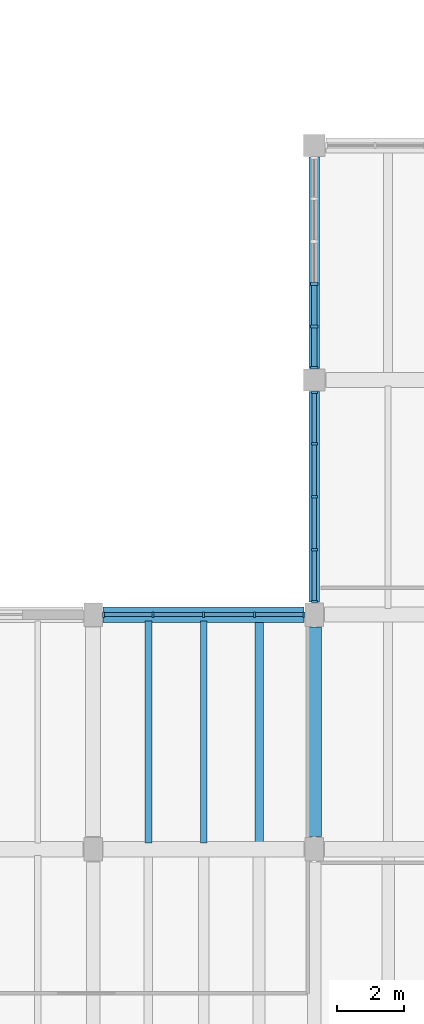
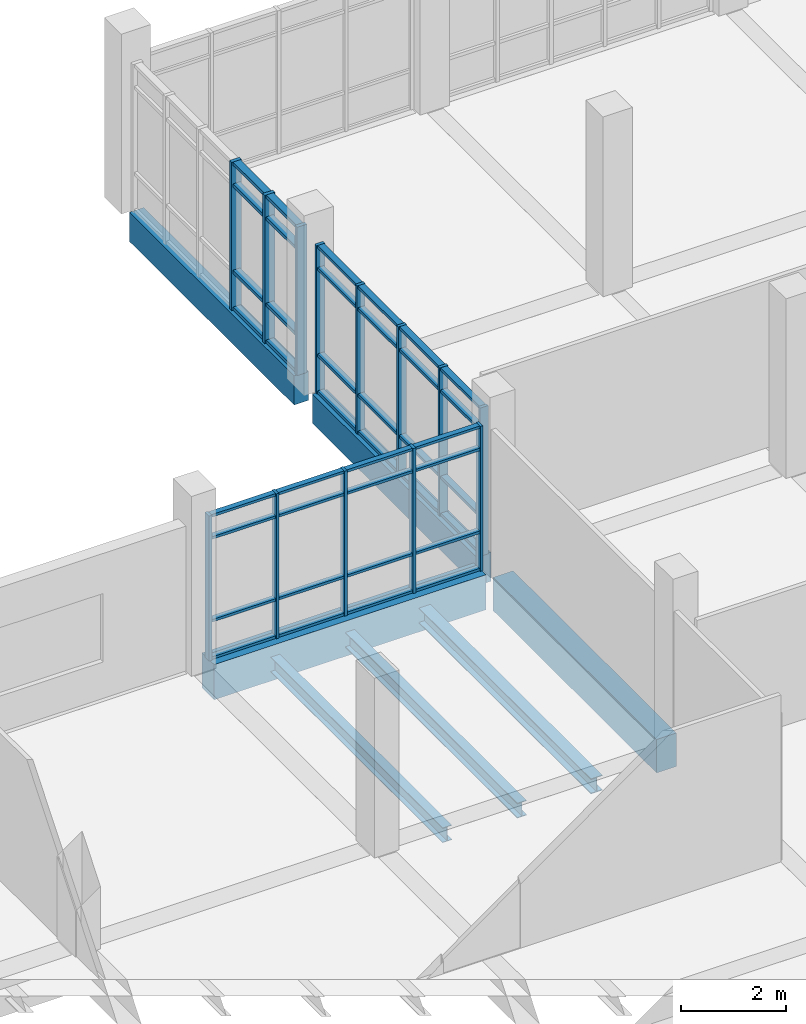
# One storey, part 7 of 68: 53 members, 7 beams, 3 elements without a shape of their own.
"""IFC4 building model written with IfcOpenShell, lengths in metres."""

from ifc_helpers import new_model, si_unit, direction, frame, origin, origin_2d, place, context, subcontext, project, spatial, rectangle, i_section, extrude, material, material_profile, profile_set, type_object, element, aggregate, save


model = new_model("IFC4")

# Units and contexts
model_context = context("Model", 3, precision=1e-05, world=origin(), true_north=direction((0.0, 1.0)))
body_context = subcontext(model_context, "Body", "Model", "MODEL_VIEW")
ifc_project = project(units=[si_unit("LENGTHUNIT", "METRE"), si_unit("AREAUNIT", "SQUARE_METRE"), si_unit("VOLUMEUNIT", "CUBIC_METRE"), si_unit("PLANEANGLEUNIT", "RADIAN"), si_unit("MASSUNIT", "GRAM", prefix="KILO")], contexts=[model_context])

# Site, building, storey
site_placement = place(None, origin())
site = spatial("IfcSite", under=ifc_project, at=site_placement, CompositionType="ELEMENT")
building_placement = place(site_placement, origin())
building = spatial("IfcBuilding", under=site, at=building_placement, Name="Ciguamira Faculty of Natural Sciences", CompositionType="ELEMENT")
storey_placement = place(building_placement, frame((0.0, 0.0, 4.199951171875)))
storey = spatial("IfcBuildingStorey", under=building, at=storey_placement, Name="L01", CompositionType="ELEMENT", Elevation=4.199951171875)

# Curtain wall, members
ifc_material_1 = material(Name="Anodized aluminium curtain wall", Category="aluminium")
curtain_wall_type_1 = type_object("IfcCurtainWallType", Name="CurtainWall_CW-07", PredefinedType="USERDEFINED", material=ifc_material_1)
curtain_wall_1_placement = place(storey_placement, origin())
curtain_wall_1 = element("IfcCurtainWall", 1, at=curtain_wall_1_placement, inside=storey, type_object=curtain_wall_type_1, Name="L01 unitised curtain wall 0031", ObjectType="UNITISED CURTAIN WALL", PredefinedType="USERDEFINED")
ifc_material_2 = material(Name="Anodized aluminium mullion", Category="aluminium")
ifc_material_profile_1 = material_profile(ifc_material_2, rectangle(XDim=0.06005859375, YDim=0.159912109375, at=origin_2d()), Name="ALU-MUL-60X160")
ifc_profile_set_1 = profile_set([ifc_material_profile_1], Name="Anodized aluminium mullion")
member_type_1 = type_object("IfcMemberType", Name="CWMullion_CWM-01", PredefinedType="MULLION", material=ifc_profile_set_1)
member_1_placement = place(storey_placement, frame((44.405029296875, 24.0, 0.0), z_axis=(0.0, 0.0, 1.0), x_axis=(1.0, 0.0, 0.0)))
member_1 = element("IfcMember", 2, at=member_1_placement, type_object=member_type_1, Name="CW-07 mullion 1", PredefinedType="MULLION", context=body_context, shape_type="SweptSolid", body=[
    extrude(rectangle(XDim=0.06005859375, YDim=0.159912109375, at=origin_2d()), origin(), (0.0, 0.0, 1.0), 3.385009765625),
])
member_2_placement = place(storey_placement, frame((45.887451171875, 24.0, 0.0), z_axis=(0.0, 0.0, 1.0), x_axis=(1.0, 0.0, 0.0)))
member_2 = element("IfcMember", 3, at=member_2_placement, type_object=member_type_1, Name="CW-07 mullion 2", PredefinedType="MULLION", context=body_context, shape_type="SweptSolid", body=[
    extrude(rectangle(XDim=0.06005859375, YDim=0.159912109375, at=origin_2d()), origin(), (0.0, 0.0, 1.0), 3.385009765625),
])
member_3_placement = place(storey_placement, frame((47.39990234375, 24.0, 0.0), z_axis=(0.0, 0.0, 1.0), x_axis=(1.0, 0.0, 0.0)))
member_3 = element("IfcMember", 4, at=member_3_placement, type_object=member_type_1, Name="CW-07 mullion 3", PredefinedType="MULLION", context=body_context, shape_type="SweptSolid", body=[
    extrude(rectangle(XDim=0.06005859375, YDim=0.159912109375, at=origin_2d()), origin(), (0.0, 0.0, 1.0), 3.385009765625),
])
member_4_placement = place(storey_placement, frame((48.91259765625, 24.0, 0.0), z_axis=(0.0, 0.0, 1.0), x_axis=(1.0, 0.0, 0.0)))
member_4 = element("IfcMember", 5, at=member_4_placement, type_object=member_type_1, Name="CW-07 mullion 4", PredefinedType="MULLION", context=body_context, shape_type="SweptSolid", body=[
    extrude(rectangle(XDim=0.06005859375, YDim=0.159912109375, at=origin_2d()), origin(), (0.0, 0.0, 1.0), 3.385009765625),
])
member_5_placement = place(storey_placement, frame((50.39501953125, 24.0, 0.0), z_axis=(0.0, 0.0, 1.0), x_axis=(1.0, 0.0, 0.0)))
member_5 = element("IfcMember", 6, at=member_5_placement, type_object=member_type_1, Name="CW-07 mullion 5", PredefinedType="MULLION", context=body_context, shape_type="SweptSolid", body=[
    extrude(rectangle(XDim=0.06005859375, YDim=0.159912109375, at=origin_2d()), origin(), (0.0, 0.0, 1.0), 3.385009765625),
])

curtain_wall_type_2 = type_object("IfcCurtainWallType", Name="CurtainWall_CW-02", PredefinedType="USERDEFINED", material=ifc_material_1)
curtain_wall_2_placement = place(storey_placement, origin())
curtain_wall_2 = element("IfcCurtainWall", 7, at=curtain_wall_2_placement, inside=storey, type_object=curtain_wall_type_2, Name="L01 unitised curtain wall 0050", ObjectType="UNITISED CURTAIN WALL", PredefinedType="USERDEFINED")
ifc_material_profile_2 = material_profile(ifc_material_2, rectangle(XDim=0.070068359375, YDim=0.179931640625, at=origin_2d()), Name="ALU-MUL-70X180")
ifc_profile_set_2 = profile_set([ifc_material_profile_2], Name="Anodized aluminium mullion")
member_type_2 = type_object("IfcMemberType", Name="CWMullion_CWM-02", PredefinedType="MULLION", material=ifc_profile_set_2)
member_6_placement = place(storey_placement, frame((50.699951171875, 24.385009765625, 0.0), z_axis=(0.0, 0.0, 1.0), x_axis=(0.0, 1.0, 0.0)))
member_6 = element("IfcMember", 8, at=member_6_placement, type_object=member_type_2, Name="CW-02 mullion 1", PredefinedType="MULLION", context=body_context, shape_type="SweptSolid", body=[
    extrude(rectangle(XDim=0.070068359375, YDim=0.179931640625, at=origin_2d()), origin(), (0.0, 0.0, 1.0), 3.465087890625),
])
member_7_placement = place(storey_placement, frame((50.699951171875, 25.93115234375, 0.0), z_axis=(0.0, 0.0, 1.0), x_axis=(0.0, 1.0, 0.0)))
member_7 = element("IfcMember", 9, at=member_7_placement, type_object=member_type_2, Name="CW-02 mullion 2", PredefinedType="MULLION", context=body_context, shape_type="SweptSolid", body=[
    extrude(rectangle(XDim=0.070068359375, YDim=0.179931640625, at=origin_2d()), origin(), (0.0, 0.0, 1.0), 3.465087890625),
])
member_8_placement = place(storey_placement, frame((50.699951171875, 27.512451171875, 0.0), z_axis=(0.0, 0.0, 1.0), x_axis=(0.0, 1.0, 0.0)))
member_8 = element("IfcMember", 10, at=member_8_placement, type_object=member_type_2, Name="CW-02 mullion 3", PredefinedType="MULLION", context=body_context, shape_type="SweptSolid", body=[
    extrude(rectangle(XDim=0.070068359375, YDim=0.179931640625, at=origin_2d()), origin(), (0.0, 0.0, 1.0), 3.465087890625),
])
member_9_placement = place(storey_placement, frame((50.699951171875, 29.09375, 0.0), z_axis=(0.0, 0.0, 1.0), x_axis=(0.0, 1.0, 0.0)))
member_9 = element("IfcMember", 11, at=member_9_placement, type_object=member_type_2, Name="CW-02 mullion 4", PredefinedType="MULLION", context=body_context, shape_type="SweptSolid", body=[
    extrude(rectangle(XDim=0.070068359375, YDim=0.179931640625, at=origin_2d()), origin(), (0.0, 0.0, 1.0), 3.465087890625),
])
member_10_placement = place(storey_placement, frame((50.699951171875, 30.639892578125, 0.0), z_axis=(0.0, 0.0, 1.0), x_axis=(0.0, 1.0, 0.0)))
member_10 = element("IfcMember", 12, at=member_10_placement, type_object=member_type_2, Name="CW-02 mullion 5", PredefinedType="MULLION", context=body_context, shape_type="SweptSolid", body=[
    extrude(rectangle(XDim=0.070068359375, YDim=0.179931640625, at=origin_2d()), origin(), (0.0, 0.0, 1.0), 3.465087890625),
])

curtain_wall_type_3 = type_object("IfcCurtainWallType", Name="CurtainWall_CW-03", PredefinedType="USERDEFINED", material=ifc_material_1)
curtain_wall_3_placement = place(storey_placement, origin())
curtain_wall_3 = element("IfcCurtainWall", 13, at=curtain_wall_3_placement, inside=storey, type_object=curtain_wall_type_3, Name="L01 unitised curtain wall 0051", ObjectType="UNITISED CURTAIN WALL", PredefinedType="USERDEFINED")
ifc_material_profile_3 = material_profile(ifc_material_2, rectangle(XDim=0.080078125, YDim=0.219970703125, at=origin_2d()), Name="ALU-MUL-80X220")
ifc_profile_set_3 = profile_set([ifc_material_profile_3], Name="Anodized aluminium mullion")
member_type_3 = type_object("IfcMemberType", Name="CWMullion_CWM-03", PredefinedType="MULLION", material=ifc_profile_set_3)
member_11_placement = place(storey_placement, frame((50.699951171875, 31.364990234375, 0.0), z_axis=(0.0, 0.0, 1.0), x_axis=(0.0, 1.0, 0.0)))
member_11 = element("IfcMember", 14, at=member_11_placement, type_object=member_type_3, Name="CW-03 mullion 1", PredefinedType="MULLION", context=body_context, shape_type="SweptSolid", body=[
    extrude(rectangle(XDim=0.080078125, YDim=0.219970703125, at=origin_2d()), origin(), (0.0, 0.0, 1.0), 3.465087890625),
])
member_12_placement = place(storey_placement, frame((50.699951171875, 32.594970703125, 0.0), z_axis=(0.0, 0.0, 1.0), x_axis=(0.0, 1.0, 0.0)))
member_12 = element("IfcMember", 15, at=member_12_placement, type_object=member_type_3, Name="CW-03 mullion 2", PredefinedType="MULLION", context=body_context, shape_type="SweptSolid", body=[
    extrude(rectangle(XDim=0.080078125, YDim=0.219970703125, at=origin_2d()), origin(), (0.0, 0.0, 1.0), 3.465087890625),
])
member_13_placement = place(storey_placement, frame((50.699951171875, 33.864990234375, 0.0), z_axis=(0.0, 0.0, 1.0), x_axis=(0.0, 1.0, 0.0)))
member_13 = element("IfcMember", 16, at=member_13_placement, type_object=member_type_3, Name="CW-03 mullion 3", PredefinedType="MULLION", context=body_context, shape_type="SweptSolid", body=[
    extrude(rectangle(XDim=0.080078125, YDim=0.219970703125, at=origin_2d()), origin(), (0.0, 0.0, 1.0), 3.465087890625),
])

# Member
ifc_material_3 = material(Name="Anodized aluminium transom", Category="aluminium")
ifc_material_profile_4 = material_profile(ifc_material_3, rectangle(XDim=0.06005859375, YDim=0.1201171875, at=origin_2d()), Name="ALU-TRN-60X120")
ifc_profile_set_4 = profile_set([ifc_material_profile_4], Name="Anodized aluminium transom")
member_type_4 = type_object("IfcMemberType", Name="CWTransom_CWT-01", PredefinedType="USERDEFINED", material=ifc_profile_set_4)
member_14_placement = place(storey_placement, frame((44.43505859375, 24.0, 0.030029296875), z_axis=(1.0, 0.0, 0.0), x_axis=(0.0, 0.0, 1.0)))
member_14 = element("IfcMember", 17, at=member_14_placement, type_object=member_type_4, Name="CW-07 transom 1.1", ObjectType="TRANSOM", PredefinedType="USERDEFINED", context=body_context, shape_type="SweptSolid", body=[
    extrude(rectangle(XDim=0.06005859375, YDim=0.1201171875, at=origin_2d()), origin(), (0.0, 0.0, 1.0), 1.42236328125),
])

member_15_placement = place(storey_placement, frame((44.43505859375, 24.0, 0.900146484375), z_axis=(1.0, 0.0, 0.0), x_axis=(0.0, 0.0, 1.0)))
member_15 = element("IfcMember", 18, at=member_15_placement, type_object=member_type_4, Name="CW-07 transom 1.2", ObjectType="TRANSOM", PredefinedType="USERDEFINED", context=body_context, shape_type="SweptSolid", body=[
    extrude(rectangle(XDim=0.06005859375, YDim=0.1201171875, at=origin_2d()), origin(), (0.0, 0.0, 1.0), 1.42236328125),
])

member_16_placement = place(storey_placement, frame((44.43505859375, 24.0, 2.8349609375), z_axis=(1.0, 0.0, 0.0), x_axis=(0.0, 0.0, 1.0)))
member_16 = element("IfcMember", 19, at=member_16_placement, type_object=member_type_4, Name="CW-07 transom 1.3", ObjectType="TRANSOM", PredefinedType="USERDEFINED", context=body_context, shape_type="SweptSolid", body=[
    extrude(rectangle(XDim=0.06005859375, YDim=0.1201171875, at=origin_2d()), origin(), (0.0, 0.0, 1.0), 1.42236328125),
])

member_17_placement = place(storey_placement, frame((44.43505859375, 24.0, 3.35498046875), z_axis=(1.0, 0.0, 0.0), x_axis=(0.0, 0.0, 1.0)))
member_17 = element("IfcMember", 20, at=member_17_placement, type_object=member_type_4, Name="CW-07 transom 1.4", ObjectType="TRANSOM", PredefinedType="USERDEFINED", context=body_context, shape_type="SweptSolid", body=[
    extrude(rectangle(XDim=0.06005859375, YDim=0.1201171875, at=origin_2d()), origin(), (0.0, 0.0, 1.0), 1.42236328125),
])

member_18_placement = place(storey_placement, frame((45.91748046875, 24.0, 0.030029296875), z_axis=(1.0, 0.0, 0.0), x_axis=(0.0, 0.0, 1.0)))
member_18 = element("IfcMember", 21, at=member_18_placement, type_object=member_type_4, Name="CW-07 transom 2.1", ObjectType="TRANSOM", PredefinedType="USERDEFINED", context=body_context, shape_type="SweptSolid", body=[
    extrude(rectangle(XDim=0.06005859375, YDim=0.1201171875, at=origin_2d()), origin(), (0.0, 0.0, 1.0), 1.45263671875),
])

member_19_placement = place(storey_placement, frame((45.91748046875, 24.0, 0.900146484375), z_axis=(1.0, 0.0, 0.0), x_axis=(0.0, 0.0, 1.0)))
member_19 = element("IfcMember", 22, at=member_19_placement, type_object=member_type_4, Name="CW-07 transom 2.2", ObjectType="TRANSOM", PredefinedType="USERDEFINED", context=body_context, shape_type="SweptSolid", body=[
    extrude(rectangle(XDim=0.06005859375, YDim=0.1201171875, at=origin_2d()), origin(), (0.0, 0.0, 1.0), 1.45263671875),
])

member_20_placement = place(storey_placement, frame((45.91748046875, 24.0, 2.8349609375), z_axis=(1.0, 0.0, 0.0), x_axis=(0.0, 0.0, 1.0)))
member_20 = element("IfcMember", 23, at=member_20_placement, type_object=member_type_4, Name="CW-07 transom 2.3", ObjectType="TRANSOM", PredefinedType="USERDEFINED", context=body_context, shape_type="SweptSolid", body=[
    extrude(rectangle(XDim=0.06005859375, YDim=0.1201171875, at=origin_2d()), origin(), (0.0, 0.0, 1.0), 1.45263671875),
])

member_21_placement = place(storey_placement, frame((45.91748046875, 24.0, 3.35498046875), z_axis=(1.0, 0.0, 0.0), x_axis=(0.0, 0.0, 1.0)))
member_21 = element("IfcMember", 24, at=member_21_placement, type_object=member_type_4, Name="CW-07 transom 2.4", ObjectType="TRANSOM", PredefinedType="USERDEFINED", context=body_context, shape_type="SweptSolid", body=[
    extrude(rectangle(XDim=0.06005859375, YDim=0.1201171875, at=origin_2d()), origin(), (0.0, 0.0, 1.0), 1.45263671875),
])

member_22_placement = place(storey_placement, frame((47.429931640625, 24.0, 0.030029296875), z_axis=(1.0, 0.0, 0.0), x_axis=(0.0, 0.0, 1.0)))
member_22 = element("IfcMember", 25, at=member_22_placement, type_object=member_type_4, Name="CW-07 transom 3.1", ObjectType="TRANSOM", PredefinedType="USERDEFINED", context=body_context, shape_type="SweptSolid", body=[
    extrude(rectangle(XDim=0.06005859375, YDim=0.1201171875, at=origin_2d()), origin(), (0.0, 0.0, 1.0), 1.45263671875),
])

member_23_placement = place(storey_placement, frame((47.429931640625, 24.0, 0.900146484375), z_axis=(1.0, 0.0, 0.0), x_axis=(0.0, 0.0, 1.0)))
member_23 = element("IfcMember", 26, at=member_23_placement, type_object=member_type_4, Name="CW-07 transom 3.2", ObjectType="TRANSOM", PredefinedType="USERDEFINED", context=body_context, shape_type="SweptSolid", body=[
    extrude(rectangle(XDim=0.06005859375, YDim=0.1201171875, at=origin_2d()), origin(), (0.0, 0.0, 1.0), 1.45263671875),
])

member_24_placement = place(storey_placement, frame((47.429931640625, 24.0, 2.8349609375), z_axis=(1.0, 0.0, 0.0), x_axis=(0.0, 0.0, 1.0)))
member_24 = element("IfcMember", 27, at=member_24_placement, type_object=member_type_4, Name="CW-07 transom 3.3", ObjectType="TRANSOM", PredefinedType="USERDEFINED", context=body_context, shape_type="SweptSolid", body=[
    extrude(rectangle(XDim=0.06005859375, YDim=0.1201171875, at=origin_2d()), origin(), (0.0, 0.0, 1.0), 1.45263671875),
])

member_25_placement = place(storey_placement, frame((47.429931640625, 24.0, 3.35498046875), z_axis=(1.0, 0.0, 0.0), x_axis=(0.0, 0.0, 1.0)))
member_25 = element("IfcMember", 28, at=member_25_placement, type_object=member_type_4, Name="CW-07 transom 3.4", ObjectType="TRANSOM", PredefinedType="USERDEFINED", context=body_context, shape_type="SweptSolid", body=[
    extrude(rectangle(XDim=0.06005859375, YDim=0.1201171875, at=origin_2d()), origin(), (0.0, 0.0, 1.0), 1.45263671875),
])

member_26_placement = place(storey_placement, frame((48.9423828125, 24.0, 0.030029296875), z_axis=(1.0, 0.0, 0.0), x_axis=(0.0, 0.0, 1.0)))
member_26 = element("IfcMember", 29, at=member_26_placement, type_object=member_type_4, Name="CW-07 transom 4.1", ObjectType="TRANSOM", PredefinedType="USERDEFINED", context=body_context, shape_type="SweptSolid", body=[
    extrude(rectangle(XDim=0.06005859375, YDim=0.1201171875, at=origin_2d()), origin(), (0.0, 0.0, 1.0), 1.422607421875),
])

member_27_placement = place(storey_placement, frame((48.9423828125, 24.0, 0.900146484375), z_axis=(1.0, 0.0, 0.0), x_axis=(0.0, 0.0, 1.0)))
member_27 = element("IfcMember", 30, at=member_27_placement, type_object=member_type_4, Name="CW-07 transom 4.2", ObjectType="TRANSOM", PredefinedType="USERDEFINED", context=body_context, shape_type="SweptSolid", body=[
    extrude(rectangle(XDim=0.06005859375, YDim=0.1201171875, at=origin_2d()), origin(), (0.0, 0.0, 1.0), 1.422607421875),
])

member_28_placement = place(storey_placement, frame((48.9423828125, 24.0, 2.8349609375), z_axis=(1.0, 0.0, 0.0), x_axis=(0.0, 0.0, 1.0)))
member_28 = element("IfcMember", 31, at=member_28_placement, type_object=member_type_4, Name="CW-07 transom 4.3", ObjectType="TRANSOM", PredefinedType="USERDEFINED", context=body_context, shape_type="SweptSolid", body=[
    extrude(rectangle(XDim=0.06005859375, YDim=0.1201171875, at=origin_2d()), origin(), (0.0, 0.0, 1.0), 1.422607421875),
])

member_29_placement = place(storey_placement, frame((48.9423828125, 24.0, 3.35498046875), z_axis=(1.0, 0.0, 0.0), x_axis=(0.0, 0.0, 1.0)))
member_29 = element("IfcMember", 32, at=member_29_placement, type_object=member_type_4, Name="CW-07 transom 4.4", ObjectType="TRANSOM", PredefinedType="USERDEFINED", context=body_context, shape_type="SweptSolid", body=[
    extrude(rectangle(XDim=0.06005859375, YDim=0.1201171875, at=origin_2d()), origin(), (0.0, 0.0, 1.0), 1.422607421875),
])

aggregate(curtain_wall_1, [member_1, member_2, member_3, member_4, member_5, member_14, member_15, member_16, member_17, member_18, member_19, member_20, member_21, member_22, member_23, member_24, member_25, member_26, member_27, member_28, member_29])

ifc_material_profile_5 = material_profile(ifc_material_3, rectangle(XDim=0.070068359375, YDim=0.139892578125, at=origin_2d()), Name="ALU-TRN-70X140")
ifc_profile_set_5 = profile_set([ifc_material_profile_5], Name="Anodized aluminium transom")
member_type_5 = type_object("IfcMemberType", Name="CWTransom_CWT-02", PredefinedType="USERDEFINED", material=ifc_profile_set_5)
member_30_placement = place(storey_placement, frame((50.699951171875, 24.419921875, 0.03515625), z_axis=(0.0, 1.0, 0.0), x_axis=(0.0, 0.0, 1.0)))
member_30 = element("IfcMember", 33, at=member_30_placement, type_object=member_type_5, Name="CW-02 transom 1.1", ObjectType="TRANSOM", PredefinedType="USERDEFINED", context=body_context, shape_type="SweptSolid", body=[
    extrude(rectangle(XDim=0.070068359375, YDim=0.139892578125, at=origin_2d()), origin(), (0.0, 0.0, 1.0), 1.476318359375),
])

member_31_placement = place(storey_placement, frame((50.699951171875, 24.419921875, 0.900146484375), z_axis=(0.0, 1.0, 0.0), x_axis=(0.0, 0.0, 1.0)))
member_31 = element("IfcMember", 34, at=member_31_placement, type_object=member_type_5, Name="CW-02 transom 1.2", ObjectType="TRANSOM", PredefinedType="USERDEFINED", context=body_context, shape_type="SweptSolid", body=[
    extrude(rectangle(XDim=0.070068359375, YDim=0.139892578125, at=origin_2d()), origin(), (0.0, 0.0, 1.0), 1.476318359375),
])

member_32_placement = place(storey_placement, frame((50.699951171875, 24.419921875, 2.9150390625), z_axis=(0.0, 1.0, 0.0), x_axis=(0.0, 0.0, 1.0)))
member_32 = element("IfcMember", 35, at=member_32_placement, type_object=member_type_5, Name="CW-02 transom 1.3", ObjectType="TRANSOM", PredefinedType="USERDEFINED", context=body_context, shape_type="SweptSolid", body=[
    extrude(rectangle(XDim=0.070068359375, YDim=0.139892578125, at=origin_2d()), origin(), (0.0, 0.0, 1.0), 1.476318359375),
])

member_33_placement = place(storey_placement, frame((50.699951171875, 24.419921875, 3.429931640625), z_axis=(0.0, 1.0, 0.0), x_axis=(0.0, 0.0, 1.0)))
member_33 = element("IfcMember", 36, at=member_33_placement, type_object=member_type_5, Name="CW-02 transom 1.4", ObjectType="TRANSOM", PredefinedType="USERDEFINED", context=body_context, shape_type="SweptSolid", body=[
    extrude(rectangle(XDim=0.070068359375, YDim=0.139892578125, at=origin_2d()), origin(), (0.0, 0.0, 1.0), 1.476318359375),
])

member_34_placement = place(storey_placement, frame((50.699951171875, 25.96630859375, 0.03515625), z_axis=(0.0, 1.0, 0.0), x_axis=(0.0, 0.0, 1.0)))
member_34 = element("IfcMember", 37, at=member_34_placement, type_object=member_type_5, Name="CW-02 transom 2.1", ObjectType="TRANSOM", PredefinedType="USERDEFINED", context=body_context, shape_type="SweptSolid", body=[
    extrude(rectangle(XDim=0.070068359375, YDim=0.139892578125, at=origin_2d()), origin(), (0.0, 0.0, 1.0), 1.51123046875),
])

member_35_placement = place(storey_placement, frame((50.699951171875, 25.96630859375, 0.900146484375), z_axis=(0.0, 1.0, 0.0), x_axis=(0.0, 0.0, 1.0)))
member_35 = element("IfcMember", 38, at=member_35_placement, type_object=member_type_5, Name="CW-02 transom 2.2", ObjectType="TRANSOM", PredefinedType="USERDEFINED", context=body_context, shape_type="SweptSolid", body=[
    extrude(rectangle(XDim=0.070068359375, YDim=0.139892578125, at=origin_2d()), origin(), (0.0, 0.0, 1.0), 1.51123046875),
])

member_36_placement = place(storey_placement, frame((50.699951171875, 25.96630859375, 2.9150390625), z_axis=(0.0, 1.0, 0.0), x_axis=(0.0, 0.0, 1.0)))
member_36 = element("IfcMember", 39, at=member_36_placement, type_object=member_type_5, Name="CW-02 transom 2.3", ObjectType="TRANSOM", PredefinedType="USERDEFINED", context=body_context, shape_type="SweptSolid", body=[
    extrude(rectangle(XDim=0.070068359375, YDim=0.139892578125, at=origin_2d()), origin(), (0.0, 0.0, 1.0), 1.51123046875),
])

member_37_placement = place(storey_placement, frame((50.699951171875, 25.96630859375, 3.429931640625), z_axis=(0.0, 1.0, 0.0), x_axis=(0.0, 0.0, 1.0)))
member_37 = element("IfcMember", 40, at=member_37_placement, type_object=member_type_5, Name="CW-02 transom 2.4", ObjectType="TRANSOM", PredefinedType="USERDEFINED", context=body_context, shape_type="SweptSolid", body=[
    extrude(rectangle(XDim=0.070068359375, YDim=0.139892578125, at=origin_2d()), origin(), (0.0, 0.0, 1.0), 1.51123046875),
])

member_38_placement = place(storey_placement, frame((50.699951171875, 27.547607421875, 0.03515625), z_axis=(0.0, 1.0, 0.0), x_axis=(0.0, 0.0, 1.0)))
member_38 = element("IfcMember", 41, at=member_38_placement, type_object=member_type_5, Name="CW-02 transom 3.1", ObjectType="TRANSOM", PredefinedType="USERDEFINED", context=body_context, shape_type="SweptSolid", body=[
    extrude(rectangle(XDim=0.070068359375, YDim=0.139892578125, at=origin_2d()), origin(), (0.0, 0.0, 1.0), 1.51123046875),
])

member_39_placement = place(storey_placement, frame((50.699951171875, 27.547607421875, 0.900146484375), z_axis=(0.0, 1.0, 0.0), x_axis=(0.0, 0.0, 1.0)))
member_39 = element("IfcMember", 42, at=member_39_placement, type_object=member_type_5, Name="CW-02 transom 3.2", ObjectType="TRANSOM", PredefinedType="USERDEFINED", context=body_context, shape_type="SweptSolid", body=[
    extrude(rectangle(XDim=0.070068359375, YDim=0.139892578125, at=origin_2d()), origin(), (0.0, 0.0, 1.0), 1.51123046875),
])

member_40_placement = place(storey_placement, frame((50.699951171875, 27.547607421875, 2.9150390625), z_axis=(0.0, 1.0, 0.0), x_axis=(0.0, 0.0, 1.0)))
member_40 = element("IfcMember", 43, at=member_40_placement, type_object=member_type_5, Name="CW-02 transom 3.3", ObjectType="TRANSOM", PredefinedType="USERDEFINED", context=body_context, shape_type="SweptSolid", body=[
    extrude(rectangle(XDim=0.070068359375, YDim=0.139892578125, at=origin_2d()), origin(), (0.0, 0.0, 1.0), 1.51123046875),
])

member_41_placement = place(storey_placement, frame((50.699951171875, 27.547607421875, 3.429931640625), z_axis=(0.0, 1.0, 0.0), x_axis=(0.0, 0.0, 1.0)))
member_41 = element("IfcMember", 44, at=member_41_placement, type_object=member_type_5, Name="CW-02 transom 3.4", ObjectType="TRANSOM", PredefinedType="USERDEFINED", context=body_context, shape_type="SweptSolid", body=[
    extrude(rectangle(XDim=0.070068359375, YDim=0.139892578125, at=origin_2d()), origin(), (0.0, 0.0, 1.0), 1.51123046875),
])

member_42_placement = place(storey_placement, frame((50.699951171875, 29.128662109375, 0.03515625), z_axis=(0.0, 1.0, 0.0), x_axis=(0.0, 0.0, 1.0)))
member_42 = element("IfcMember", 45, at=member_42_placement, type_object=member_type_5, Name="CW-02 transom 4.1", ObjectType="TRANSOM", PredefinedType="USERDEFINED", context=body_context, shape_type="SweptSolid", body=[
    extrude(rectangle(XDim=0.070068359375, YDim=0.139892578125, at=origin_2d()), origin(), (0.0, 0.0, 1.0), 1.476318359375),
])

member_43_placement = place(storey_placement, frame((50.699951171875, 29.128662109375, 0.900146484375), z_axis=(0.0, 1.0, 0.0), x_axis=(0.0, 0.0, 1.0)))
member_43 = element("IfcMember", 46, at=member_43_placement, type_object=member_type_5, Name="CW-02 transom 4.2", ObjectType="TRANSOM", PredefinedType="USERDEFINED", context=body_context, shape_type="SweptSolid", body=[
    extrude(rectangle(XDim=0.070068359375, YDim=0.139892578125, at=origin_2d()), origin(), (0.0, 0.0, 1.0), 1.476318359375),
])

member_44_placement = place(storey_placement, frame((50.699951171875, 29.128662109375, 2.9150390625), z_axis=(0.0, 1.0, 0.0), x_axis=(0.0, 0.0, 1.0)))
member_44 = element("IfcMember", 47, at=member_44_placement, type_object=member_type_5, Name="CW-02 transom 4.3", ObjectType="TRANSOM", PredefinedType="USERDEFINED", context=body_context, shape_type="SweptSolid", body=[
    extrude(rectangle(XDim=0.070068359375, YDim=0.139892578125, at=origin_2d()), origin(), (0.0, 0.0, 1.0), 1.476318359375),
])

member_45_placement = place(storey_placement, frame((50.699951171875, 29.128662109375, 3.429931640625), z_axis=(0.0, 1.0, 0.0), x_axis=(0.0, 0.0, 1.0)))
member_45 = element("IfcMember", 48, at=member_45_placement, type_object=member_type_5, Name="CW-02 transom 4.4", ObjectType="TRANSOM", PredefinedType="USERDEFINED", context=body_context, shape_type="SweptSolid", body=[
    extrude(rectangle(XDim=0.070068359375, YDim=0.139892578125, at=origin_2d()), origin(), (0.0, 0.0, 1.0), 1.476318359375),
])

aggregate(curtain_wall_2, [member_6, member_7, member_8, member_9, member_10, member_30, member_31, member_32, member_33, member_34, member_35, member_36, member_37, member_38, member_39, member_40, member_41, member_42, member_43, member_44, member_45])

ifc_material_profile_6 = material_profile(ifc_material_3, rectangle(XDim=0.080078125, YDim=0.159912109375, at=origin_2d()), Name="ALU-TRN-80X160")
ifc_profile_set_6 = profile_set([ifc_material_profile_6], Name="Anodized aluminium transom")
member_type_6 = type_object("IfcMemberType", Name="CWTransom_CWT-03", PredefinedType="USERDEFINED", material=ifc_profile_set_6)
member_46_placement = place(storey_placement, frame((50.699951171875, 31.405029296875, 0.0400390625), z_axis=(0.0, 1.0, 0.0), x_axis=(0.0, 0.0, 1.0)))
member_46 = element("IfcMember", 49, at=member_46_placement, type_object=member_type_6, Name="CW-03 transom 1.1", ObjectType="TRANSOM", PredefinedType="USERDEFINED", context=body_context, shape_type="SweptSolid", body=[
    extrude(rectangle(XDim=0.080078125, YDim=0.159912109375, at=origin_2d()), origin(), (0.0, 0.0, 1.0), 1.14990234375),
])

member_47_placement = place(storey_placement, frame((50.699951171875, 31.405029296875, 0.900146484375), z_axis=(0.0, 1.0, 0.0), x_axis=(0.0, 0.0, 1.0)))
member_47 = element("IfcMember", 50, at=member_47_placement, type_object=member_type_6, Name="CW-03 transom 1.2", ObjectType="TRANSOM", PredefinedType="USERDEFINED", context=body_context, shape_type="SweptSolid", body=[
    extrude(rectangle(XDim=0.080078125, YDim=0.159912109375, at=origin_2d()), origin(), (0.0, 0.0, 1.0), 1.14990234375),
])

member_48_placement = place(storey_placement, frame((50.699951171875, 31.405029296875, 2.9150390625), z_axis=(0.0, 1.0, 0.0), x_axis=(0.0, 0.0, 1.0)))
member_48 = element("IfcMember", 51, at=member_48_placement, type_object=member_type_6, Name="CW-03 transom 1.3", ObjectType="TRANSOM", PredefinedType="USERDEFINED", context=body_context, shape_type="SweptSolid", body=[
    extrude(rectangle(XDim=0.080078125, YDim=0.159912109375, at=origin_2d()), origin(), (0.0, 0.0, 1.0), 1.14990234375),
])

member_49_placement = place(storey_placement, frame((50.699951171875, 31.405029296875, 3.425048828125), z_axis=(0.0, 1.0, 0.0), x_axis=(0.0, 0.0, 1.0)))
member_49 = element("IfcMember", 52, at=member_49_placement, type_object=member_type_6, Name="CW-03 transom 1.4", ObjectType="TRANSOM", PredefinedType="USERDEFINED", context=body_context, shape_type="SweptSolid", body=[
    extrude(rectangle(XDim=0.080078125, YDim=0.159912109375, at=origin_2d()), origin(), (0.0, 0.0, 1.0), 1.14990234375),
])

member_50_placement = place(storey_placement, frame((50.699951171875, 32.635009765625, 0.0400390625), z_axis=(0.0, 1.0, 0.0), x_axis=(0.0, 0.0, 1.0)))
member_50 = element("IfcMember", 53, at=member_50_placement, type_object=member_type_6, Name="CW-03 transom 2.1", ObjectType="TRANSOM", PredefinedType="USERDEFINED", context=body_context, shape_type="SweptSolid", body=[
    extrude(rectangle(XDim=0.080078125, YDim=0.159912109375, at=origin_2d()), origin(), (0.0, 0.0, 1.0), 1.18994140625),
])

member_51_placement = place(storey_placement, frame((50.699951171875, 32.635009765625, 0.900146484375), z_axis=(0.0, 1.0, 0.0), x_axis=(0.0, 0.0, 1.0)))
member_51 = element("IfcMember", 54, at=member_51_placement, type_object=member_type_6, Name="CW-03 transom 2.2", ObjectType="TRANSOM", PredefinedType="USERDEFINED", context=body_context, shape_type="SweptSolid", body=[
    extrude(rectangle(XDim=0.080078125, YDim=0.159912109375, at=origin_2d()), origin(), (0.0, 0.0, 1.0), 1.18994140625),
])

member_52_placement = place(storey_placement, frame((50.699951171875, 32.635009765625, 2.9150390625), z_axis=(0.0, 1.0, 0.0), x_axis=(0.0, 0.0, 1.0)))
member_52 = element("IfcMember", 55, at=member_52_placement, type_object=member_type_6, Name="CW-03 transom 2.3", ObjectType="TRANSOM", PredefinedType="USERDEFINED", context=body_context, shape_type="SweptSolid", body=[
    extrude(rectangle(XDim=0.080078125, YDim=0.159912109375, at=origin_2d()), origin(), (0.0, 0.0, 1.0), 1.18994140625),
])

member_53_placement = place(storey_placement, frame((50.699951171875, 32.635009765625, 3.425048828125), z_axis=(0.0, 1.0, 0.0), x_axis=(0.0, 0.0, 1.0)))
member_53 = element("IfcMember", 56, at=member_53_placement, type_object=member_type_6, Name="CW-03 transom 2.4", ObjectType="TRANSOM", PredefinedType="USERDEFINED", context=body_context, shape_type="SweptSolid", body=[
    extrude(rectangle(XDim=0.080078125, YDim=0.159912109375, at=origin_2d()), origin(), (0.0, 0.0, 1.0), 1.18994140625),
])

aggregate(curtain_wall_3, [member_11, member_12, member_13, member_46, member_47, member_48, member_49, member_50, member_51, member_52, member_53])

# Beams
ifc_material_4 = material(Name="Concrete C40/50", Category="concrete")
ifc_material_profile_7 = material_profile(ifc_material_4, rectangle(XDim=0.4599609375, YDim=0.820068359375, at=origin_2d()), Name="RC-BM-460X820")
ifc_profile_set_7 = profile_set([ifc_material_profile_7], Name="Concrete C40/50")
beam_type_1 = type_object("IfcBeamType", Name="RCBeam_BG-04_RC-BM-460X820", PredefinedType="BEAM", material=ifc_profile_set_7)
beam_1_placement = place(storey_placement, frame((44.39990234375, 24.0, -0.409912109375), z_axis=(1.0, 0.0, 0.0), x_axis=(0.0, 1.0, 0.0)))
element("IfcBeam", 57, at=beam_1_placement, inside=storey, type_object=beam_type_1, Name="L01 RC girder EW-0421", PredefinedType="BEAM", context=body_context, shape_type="SweptSolid", body=[
    extrude(rectangle(XDim=0.4599609375, YDim=0.820068359375, at=origin_2d()), origin(), (0.0, 0.0, 1.0), 6.0),
])
ifc_material_profile_8 = material_profile(ifc_material_4, rectangle(XDim=0.43994140625, YDim=0.780029296875, at=origin_2d()), Name="RC-BM-440X780")
ifc_profile_set_8 = profile_set([ifc_material_profile_8], Name="Concrete C40/50")
beam_type_2 = type_object("IfcBeamType", Name="RCBeam_BG-06_RC-BM-440X780", PredefinedType="BEAM", material=ifc_profile_set_8)
beam_2_placement = place(storey_placement, frame((50.699951171875, 17.375, -0.389892578125), z_axis=(0.0, 1.0, 0.0), x_axis=(-1.0, 0.0, 0.0)))
element("IfcBeam", 58, at=beam_2_placement, inside=storey, type_object=beam_type_2, Name="L01 girder NS-0568", PredefinedType="BEAM", context=body_context, shape_type="SweptSolid", body=[
    extrude(rectangle(XDim=0.43994140625, YDim=0.780029296875, at=origin_2d()), origin(), (0.0, 0.0, 1.0), 6.25),
])
ifc_material_5 = material(Name="Precast concrete C40/50", Category="concrete")
ifc_material_profile_9 = material_profile(ifc_material_5, rectangle(XDim=0.320068359375, YDim=0.679931640625, at=origin_2d()), Name="RC-SP-320X680")
ifc_profile_set_9 = profile_set([ifc_material_profile_9], Name="Precast concrete C40/50")
beam_type_3 = type_object("IfcBeamType", Name="RCBeam_SP-02_RC-SP-320X680", PredefinedType="SPANDREL", material=ifc_profile_set_9)
beam_3_placement = place(storey_placement, frame((50.699951171875, 24.375, -0.33984375), z_axis=(0.0, 1.0, 0.0), x_axis=(-1.0, 0.0, 0.0)))
element("IfcBeam", 59, at=beam_3_placement, inside=storey, type_object=beam_type_3, Name="L01 girder NS-0569", PredefinedType="SPANDREL", context=body_context, shape_type="SweptSolid", body=[
    extrude(rectangle(XDim=0.320068359375, YDim=0.679931640625, at=origin_2d()), origin(), (0.0, 0.0, 1.0), 6.27490234375),
])
beam_4_placement = place(storey_placement, frame((50.699951171875, 31.35009765625, -0.33984375), z_axis=(0.0, 1.0, 0.0), x_axis=(-1.0, 0.0, 0.0)))
element("IfcBeam", 60, at=beam_4_placement, inside=storey, type_object=beam_type_3, Name="L01 girder NS-0570", PredefinedType="SPANDREL", context=body_context, shape_type="SweptSolid", body=[
    extrude(rectangle(XDim=0.320068359375, YDim=0.679931640625, at=origin_2d()), origin(), (0.0, 0.0, 1.0), 6.2998046875),
])
ifc_material_6 = material(Name="Steel ASTM A992 Grade 50", Category="steel")
ifc_material_profile_10 = material_profile(ifc_material_6, i_section(OverallWidth=0.203125, OverallDepth=0.347900390625, WebThickness=0.0078125, FlangeThickness=0.013427734375, at=origin_2d()), Name="W14X43")
ifc_profile_set_10 = profile_set([ifc_material_profile_10], Name="Steel ASTM A992 Grade 50")
beam_type_4 = type_object("IfcBeamType", Name="SteelJoist_SJ-12_W14X43", PredefinedType="JOIST", material=ifc_profile_set_10)
beam_5_placement = place(storey_placement, frame((45.75, 17.18994140625, -0.433837890625), z_axis=(0.0, 1.0, 0.0), x_axis=(-1.0, 0.0, 0.0)))
element("IfcBeam", 61, at=beam_5_placement, inside=storey, type_object=beam_type_4, Name="L01 composite steel joist 00376", PredefinedType="JOIST", context=body_context, shape_type="SweptSolid", body=[
    extrude(i_section(OverallWidth=0.203125, OverallDepth=0.347900390625, WebThickness=0.0078125, FlangeThickness=0.013427734375, at=origin_2d()), origin(), (0.0, 0.0, 1.0), 6.6201171875),
])
ifc_material_profile_11 = material_profile(ifc_material_6, i_section(OverallWidth=0.204833984375, OverallDepth=0.35302734375, WebThickness=0.00927734375, FlangeThickness=0.016845703125, at=origin_2d()), Name="W14X53")
ifc_profile_set_11 = profile_set([ifc_material_profile_11], Name="Steel ASTM A992 Grade 50")
beam_type_5 = type_object("IfcBeamType", Name="SteelJoist_SJ-13_W14X53", PredefinedType="JOIST", material=ifc_profile_set_11)
beam_6_placement = place(storey_placement, frame((47.39990234375, 17.18994140625, -0.4365234375), z_axis=(0.0, 1.0, 0.0), x_axis=(-1.0, 0.0, 0.0)))
element("IfcBeam", 62, at=beam_6_placement, inside=storey, type_object=beam_type_5, Name="L01 composite steel joist 00377", PredefinedType="JOIST", context=body_context, shape_type="SweptSolid", body=[
    extrude(i_section(OverallWidth=0.204833984375, OverallDepth=0.35302734375, WebThickness=0.00927734375, FlangeThickness=0.016845703125, at=origin_2d()), origin(), (0.0, 0.0, 1.0), 6.6201171875),
])
ifc_material_profile_12 = material_profile(ifc_material_6, i_section(OverallWidth=0.25390625, OverallDepth=0.355712890625, WebThickness=0.010498046875, FlangeThickness=0.018310546875, at=origin_2d()), Name="W14X68")
ifc_profile_set_12 = profile_set([ifc_material_profile_12], Name="Steel ASTM A992 Grade 50")
beam_type_6 = type_object("IfcBeamType", Name="SteelJoist_SJ-14_W14X68", PredefinedType="JOIST", material=ifc_profile_set_12)
beam_7_placement = place(storey_placement, frame((49.050048828125, 17.18994140625, -0.437744140625), z_axis=(0.0, 1.0, 0.0), x_axis=(-1.0, 0.0, 0.0)))
element("IfcBeam", 63, at=beam_7_placement, inside=storey, type_object=beam_type_6, Name="L01 composite steel joist 00378", PredefinedType="JOIST", context=body_context, shape_type="SweptSolid", body=[
    extrude(i_section(OverallWidth=0.25390625, OverallDepth=0.355712890625, WebThickness=0.010498046875, FlangeThickness=0.018310546875, at=origin_2d()), origin(), (0.0, 0.0, 1.0), 6.6201171875),
])

save(model, "model.ifc")
